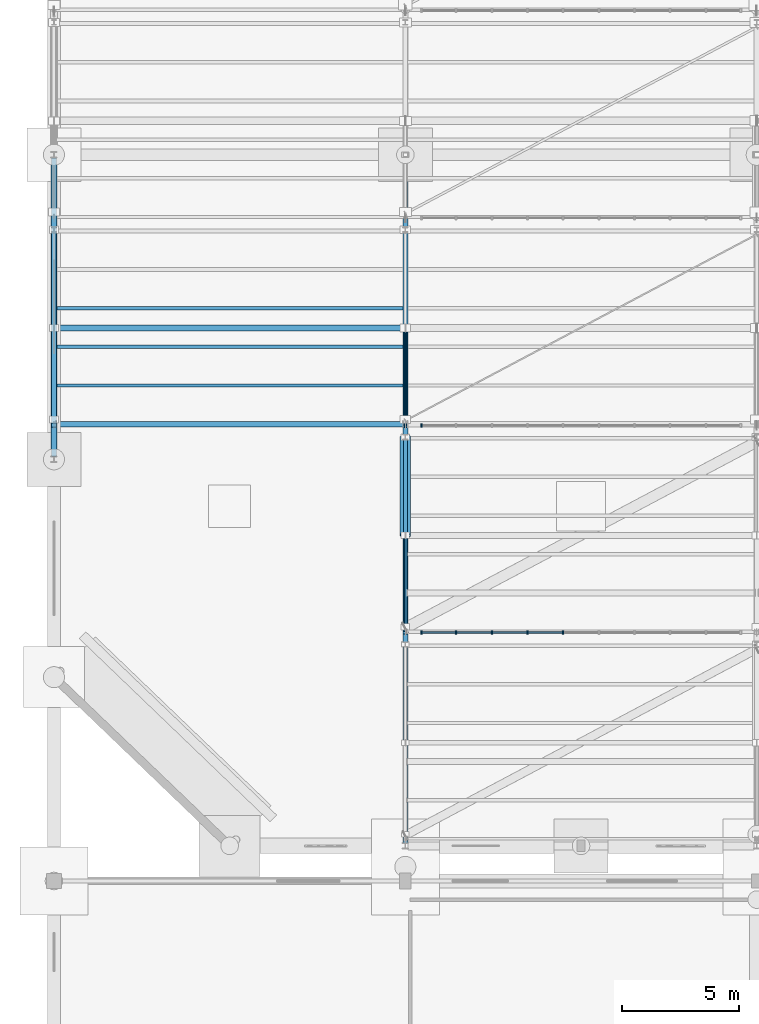
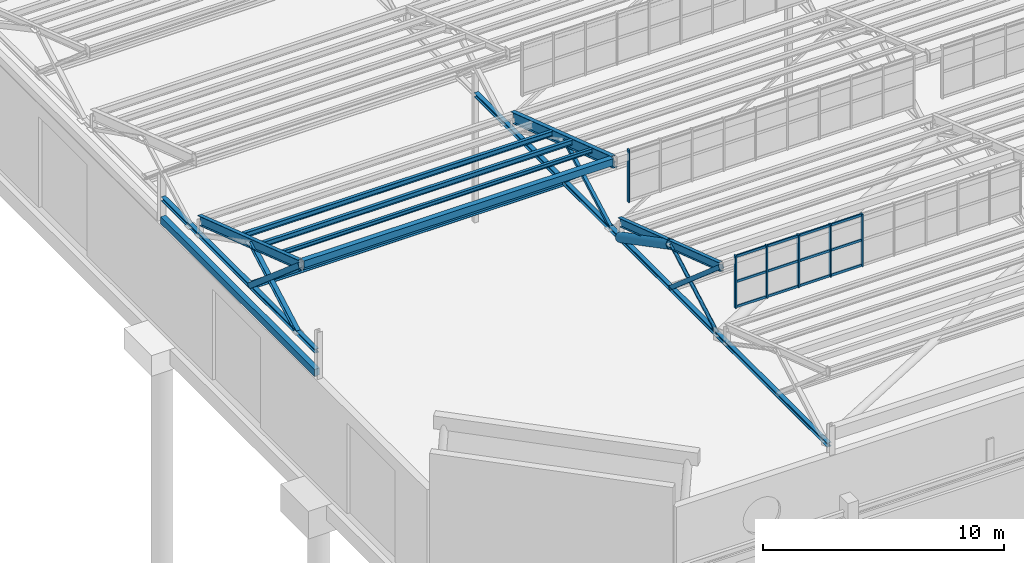
# One storey, part 48 of 285: 26 members, 10 beams, 2 elements without a shape of their own.
"""IFC4 building model written with IfcOpenShell, lengths in metres."""

from ifc_helpers import new_model, si_unit, direction, frame, origin, origin_2d, place, context, subcontext, project, spatial, rectangle, hollow_rectangle, hollow_circle, i_section, extrude, material, material_profile, profile_set, type_object, element, aggregate, save


model = new_model("IFC4")

# Units and contexts
model_context = context("Model", 3, precision=1e-05, world=origin(), true_north=direction((0.0, 1.0)))
body_context = subcontext(model_context, "Body", "Model", "MODEL_VIEW")
ifc_project = project(units=[si_unit("LENGTHUNIT", "METRE"), si_unit("AREAUNIT", "SQUARE_METRE"), si_unit("VOLUMEUNIT", "CUBIC_METRE"), si_unit("PLANEANGLEUNIT", "RADIAN"), si_unit("MASSUNIT", "GRAM", prefix="KILO")], contexts=[model_context])

# Site, building, storey
site_placement = place(None, origin())
site = spatial("IfcSite", under=ifc_project, at=site_placement, CompositionType="ELEMENT")
building_placement = place(site_placement, origin())
building = spatial("IfcBuilding", under=site, at=building_placement, Name="Solanera Park Tramway Depot", CompositionType="ELEMENT")
storey_placement = place(building_placement, origin())
storey = spatial("IfcBuildingStorey", under=building, at=storey_placement, Name="L00", CompositionType="ELEMENT", Elevation=0.0)

# Curtain wall, members
ifc_material_1 = material(Name="Bronze-anodised thermally broken aluminium curtain wall", Category="aluminium")
curtain_wall_type = type_object("IfcCurtainWallType", Name="Sawtooth Clerestory Monitor Curtain Wall", PredefinedType="NOTDEFINED", material=ifc_material_1)
curtain_wall_1_placement = place(storey_placement, origin())
curtain_wall_1 = element("IfcCurtainWall", 1, at=curtain_wall_1_placement, inside=storey, type_object=curtain_wall_type, Name="L00 Sawtooth Clerestory Monitor Curtain Wall #004", PredefinedType="NOTDEFINED")
ifc_material_2 = material(Name="Bronze-anodised structural aluminium 6063-T6", Category="aluminium")
ifc_material_profile_1 = material_profile(ifc_material_2, rectangle(XDim=0.06494140625, YDim=0.14990234375, at=origin_2d()), Name="Curtain Wall Mullion 65x150")
ifc_profile_set_1 = profile_set([ifc_material_profile_1], Name="Bronze-anodised structural aluminium 6063-T6")
member_type_1 = type_object("IfcMemberType", Name="Curtain Wall Mullion 65x150", PredefinedType="MULLION", material=ifc_profile_set_1)
member_1_placement = place(storey_placement, frame((15.6826171875, 64.60009765625, 7.75), z_axis=(0.0, 0.0, 1.0), x_axis=(1.0, 0.0, 0.0)))
member_1 = element("IfcMember", 2, at=member_1_placement, type_object=member_type_1, Name="CW-L00-004 Mullion 1", PredefinedType="MULLION", context=body_context, shape_type="SweptSolid", body=[
    extrude(rectangle(XDim=0.06494140625, YDim=0.14990234375, at=origin_2d()), origin(), (0.0, 0.0, 1.0), 2.6611328125),
])
member_2_placement = place(storey_placement, frame((17.172119140625, 64.60009765625, 7.75), z_axis=(0.0, 0.0, 1.0), x_axis=(1.0, 0.0, 0.0)))
member_2 = element("IfcMember", 3, at=member_2_placement, type_object=member_type_1, Name="CW-L00-004 Mullion 2", PredefinedType="MULLION", context=body_context, shape_type="SweptSolid", body=[
    extrude(rectangle(XDim=0.06494140625, YDim=0.14990234375, at=origin_2d()), origin(), (0.0, 0.0, 1.0), 2.6611328125),
])
member_3_placement = place(storey_placement, frame((18.6943359375, 64.60009765625, 7.75), z_axis=(0.0, 0.0, 1.0), x_axis=(1.0, 0.0, 0.0)))
member_3 = element("IfcMember", 4, at=member_3_placement, type_object=member_type_1, Name="CW-L00-004 Mullion 3", PredefinedType="MULLION", context=body_context, shape_type="SweptSolid", body=[
    extrude(rectangle(XDim=0.06494140625, YDim=0.14990234375, at=origin_2d()), origin(), (0.0, 0.0, 1.0), 2.6611328125),
])
member_4_placement = place(storey_placement, frame((20.216796875, 64.60009765625, 7.75), z_axis=(0.0, 0.0, 1.0), x_axis=(1.0, 0.0, 0.0)))
member_4 = element("IfcMember", 5, at=member_4_placement, type_object=member_type_1, Name="CW-L00-004 Mullion 4", PredefinedType="MULLION", context=body_context, shape_type="SweptSolid", body=[
    extrude(rectangle(XDim=0.06494140625, YDim=0.14990234375, at=origin_2d()), origin(), (0.0, 0.0, 1.0), 2.6611328125),
])
member_5_placement = place(storey_placement, frame((21.739013671875, 64.60009765625, 7.75), z_axis=(0.0, 0.0, 1.0), x_axis=(1.0, 0.0, 0.0)))
member_5 = element("IfcMember", 6, at=member_5_placement, type_object=member_type_1, Name="CW-L00-004 Mullion 5", PredefinedType="MULLION", context=body_context, shape_type="SweptSolid", body=[
    extrude(rectangle(XDim=0.06494140625, YDim=0.14990234375, at=origin_2d()), origin(), (0.0, 0.0, 1.0), 2.6611328125),
])

# Curtain wall, member
curtain_wall_2_placement = place(storey_placement, origin())
curtain_wall_2 = element("IfcCurtainWall", 7, at=curtain_wall_2_placement, inside=storey, type_object=curtain_wall_type, Name="L00 Sawtooth Clerestory Monitor Curtain Wall #012", PredefinedType="NOTDEFINED")
member_6_placement = place(storey_placement, frame((15.6826171875, 73.449951171875, 7.75), z_axis=(0.0, 0.0, 1.0), x_axis=(1.0, 0.0, 0.0)))
member_6 = element("IfcMember", 8, at=member_6_placement, type_object=member_type_1, Name="CW-L00-012 Mullion 1", PredefinedType="MULLION", context=body_context, shape_type="SweptSolid", body=[
    extrude(rectangle(XDim=0.06494140625, YDim=0.14990234375, at=origin_2d()), origin(), (0.0, 0.0, 1.0), 2.6611328125),
])
aggregate(curtain_wall_2, [member_6])

# Member
ifc_material_3 = material(Name="Bronze-anodised structural aluminium 6063-T6", Category="aluminium")
ifc_material_profile_2 = material_profile(ifc_material_3, rectangle(XDim=0.06494140625, YDim=0.1201171875, at=origin_2d()), Name="Curtain Wall Transom 65x120")
ifc_profile_set_2 = profile_set([ifc_material_profile_2], Name="Bronze-anodised structural aluminium 6063-T6")
member_type_2 = type_object("IfcMemberType", Name="Curtain Wall Transom 65x120", PredefinedType="USERDEFINED", material=ifc_profile_set_2)
member_7_placement = place(storey_placement, frame((15.71044921875, 64.60009765625, 7.81005859375), z_axis=(1.0, 0.0, 0.0), x_axis=(0.0, 1.0, 0.0)))
member_7 = element("IfcMember", 9, at=member_7_placement, type_object=member_type_2, Name="CW-L00-004 Transom R1.C1", ObjectType="TRANSOM", PredefinedType="USERDEFINED", context=body_context, shape_type="SweptSolid", body=[
    extrude(rectangle(XDim=0.06494140625, YDim=0.1201171875, at=origin_2d()), origin(), (0.0, 0.0, 1.0), 1.433837890625),
])

member_8_placement = place(storey_placement, frame((17.2001953125, 64.60009765625, 7.81005859375), z_axis=(1.0, 0.0, 0.0), x_axis=(0.0, 1.0, 0.0)))
member_8 = element("IfcMember", 10, at=member_8_placement, type_object=member_type_2, Name="CW-L00-004 Transom R1.C2", ObjectType="TRANSOM", PredefinedType="USERDEFINED", context=body_context, shape_type="SweptSolid", body=[
    extrude(rectangle(XDim=0.06494140625, YDim=0.1201171875, at=origin_2d()), origin(), (0.0, 0.0, 1.0), 1.46630859375),
])

member_9_placement = place(storey_placement, frame((18.722412109375, 64.60009765625, 7.81005859375), z_axis=(1.0, 0.0, 0.0), x_axis=(0.0, 1.0, 0.0)))
member_9 = element("IfcMember", 11, at=member_9_placement, type_object=member_type_2, Name="CW-L00-004 Transom R1.C3", ObjectType="TRANSOM", PredefinedType="USERDEFINED", context=body_context, shape_type="SweptSolid", body=[
    extrude(rectangle(XDim=0.06494140625, YDim=0.1201171875, at=origin_2d()), origin(), (0.0, 0.0, 1.0), 1.46630859375),
])

member_10_placement = place(storey_placement, frame((20.24462890625, 64.60009765625, 7.81005859375), z_axis=(1.0, 0.0, 0.0), x_axis=(0.0, 1.0, 0.0)))
member_10 = element("IfcMember", 12, at=member_10_placement, type_object=member_type_2, Name="CW-L00-004 Transom R1.C4", ObjectType="TRANSOM", PredefinedType="USERDEFINED", context=body_context, shape_type="SweptSolid", body=[
    extrude(rectangle(XDim=0.06494140625, YDim=0.1201171875, at=origin_2d()), origin(), (0.0, 0.0, 1.0), 1.46630859375),
])

member_11_placement = place(storey_placement, frame((15.71044921875, 64.60009765625, 9.08056640625), z_axis=(1.0, 0.0, 0.0), x_axis=(0.0, 1.0, 0.0)))
member_11 = element("IfcMember", 13, at=member_11_placement, type_object=member_type_2, Name="CW-L00-004 Transom R2.C1", ObjectType="TRANSOM", PredefinedType="USERDEFINED", context=body_context, shape_type="SweptSolid", body=[
    extrude(rectangle(XDim=0.06494140625, YDim=0.1201171875, at=origin_2d()), origin(), (0.0, 0.0, 1.0), 1.433837890625),
])

member_12_placement = place(storey_placement, frame((17.2001953125, 64.60009765625, 9.08056640625), z_axis=(1.0, 0.0, 0.0), x_axis=(0.0, 1.0, 0.0)))
member_12 = element("IfcMember", 14, at=member_12_placement, type_object=member_type_2, Name="CW-L00-004 Transom R2.C2", ObjectType="TRANSOM", PredefinedType="USERDEFINED", context=body_context, shape_type="SweptSolid", body=[
    extrude(rectangle(XDim=0.06494140625, YDim=0.1201171875, at=origin_2d()), origin(), (0.0, 0.0, 1.0), 1.46630859375),
])

member_13_placement = place(storey_placement, frame((18.722412109375, 64.60009765625, 9.08056640625), z_axis=(1.0, 0.0, 0.0), x_axis=(0.0, 1.0, 0.0)))
member_13 = element("IfcMember", 15, at=member_13_placement, type_object=member_type_2, Name="CW-L00-004 Transom R2.C3", ObjectType="TRANSOM", PredefinedType="USERDEFINED", context=body_context, shape_type="SweptSolid", body=[
    extrude(rectangle(XDim=0.06494140625, YDim=0.1201171875, at=origin_2d()), origin(), (0.0, 0.0, 1.0), 1.46630859375),
])

member_14_placement = place(storey_placement, frame((20.24462890625, 64.60009765625, 9.08056640625), z_axis=(1.0, 0.0, 0.0), x_axis=(0.0, 1.0, 0.0)))
member_14 = element("IfcMember", 16, at=member_14_placement, type_object=member_type_2, Name="CW-L00-004 Transom R2.C4", ObjectType="TRANSOM", PredefinedType="USERDEFINED", context=body_context, shape_type="SweptSolid", body=[
    extrude(rectangle(XDim=0.06494140625, YDim=0.1201171875, at=origin_2d()), origin(), (0.0, 0.0, 1.0), 1.46630859375),
])

member_15_placement = place(storey_placement, frame((15.71044921875, 64.60009765625, 10.351318359375), z_axis=(1.0, 0.0, 0.0), x_axis=(0.0, 1.0, 0.0)))
member_15 = element("IfcMember", 17, at=member_15_placement, type_object=member_type_2, Name="CW-L00-004 Transom R3.C1", ObjectType="TRANSOM", PredefinedType="USERDEFINED", context=body_context, shape_type="SweptSolid", body=[
    extrude(rectangle(XDim=0.06494140625, YDim=0.1201171875, at=origin_2d()), origin(), (0.0, 0.0, 1.0), 1.433837890625),
])

member_16_placement = place(storey_placement, frame((17.2001953125, 64.60009765625, 10.351318359375), z_axis=(1.0, 0.0, 0.0), x_axis=(0.0, 1.0, 0.0)))
member_16 = element("IfcMember", 18, at=member_16_placement, type_object=member_type_2, Name="CW-L00-004 Transom R3.C2", ObjectType="TRANSOM", PredefinedType="USERDEFINED", context=body_context, shape_type="SweptSolid", body=[
    extrude(rectangle(XDim=0.06494140625, YDim=0.1201171875, at=origin_2d()), origin(), (0.0, 0.0, 1.0), 1.46630859375),
])

member_17_placement = place(storey_placement, frame((18.722412109375, 64.60009765625, 10.351318359375), z_axis=(1.0, 0.0, 0.0), x_axis=(0.0, 1.0, 0.0)))
member_17 = element("IfcMember", 19, at=member_17_placement, type_object=member_type_2, Name="CW-L00-004 Transom R3.C3", ObjectType="TRANSOM", PredefinedType="USERDEFINED", context=body_context, shape_type="SweptSolid", body=[
    extrude(rectangle(XDim=0.06494140625, YDim=0.1201171875, at=origin_2d()), origin(), (0.0, 0.0, 1.0), 1.46630859375),
])

member_18_placement = place(storey_placement, frame((20.24462890625, 64.60009765625, 10.351318359375), z_axis=(1.0, 0.0, 0.0), x_axis=(0.0, 1.0, 0.0)))
member_18 = element("IfcMember", 20, at=member_18_placement, type_object=member_type_2, Name="CW-L00-004 Transom R3.C4", ObjectType="TRANSOM", PredefinedType="USERDEFINED", context=body_context, shape_type="SweptSolid", body=[
    extrude(rectangle(XDim=0.06494140625, YDim=0.1201171875, at=origin_2d()), origin(), (0.0, 0.0, 1.0), 1.46630859375),
])

aggregate(curtain_wall_1, [member_1, member_2, member_3, member_4, member_5, member_7, member_8, member_9, member_10, member_11, member_12, member_13, member_14, member_15, member_16, member_17, member_18])

# Beam
ifc_material_4 = material(Name="Concrete N40 (C40/50)", Category="concrete")
ifc_material_profile_3 = material_profile(ifc_material_4, rectangle(XDim=0.25, YDim=0.35009765625, at=origin_2d()), Name="LNT 250x350")
ifc_profile_set_3 = profile_set([ifc_material_profile_3], Name="Concrete N40 (C40/50)")
beam_type_1 = type_object("IfcBeamType", Name="Opening Lintel Beam LNT 250x350", PredefinedType="LINTEL", material=ifc_profile_set_3)
beam_1_placement = place(storey_placement, frame((0.0, 72.1201171875, 5.425048828125), z_axis=(0.0, 1.0, 0.0), x_axis=(-1.0, 0.0, 0.0)))
element("IfcBeam", 21, at=beam_1_placement, inside=storey, type_object=beam_type_1, Name="L00 Portal Transom Lintel LNT 250x350 #0294", PredefinedType="LINTEL", context=body_context, shape_type="SweptSolid", body=[
    extrude(rectangle(XDim=0.25, YDim=0.35009765625, at=origin_2d()), origin(), (0.0, 0.0, 1.0), 12.759765625),
])

# Members
ifc_material_5 = material(Name="Steel AS/NZS 1163 Grade C350L0", Category="steel")
ifc_material_profile_4 = material_profile(ifc_material_5, hollow_rectangle(XDim=0.14990234375, YDim=0.14990234375, WallThickness=0.006103515625, at=origin_2d()), Name="150x150x6.0 SHS")
ifc_profile_set_4 = profile_set([ifc_material_profile_4], Name="Steel AS/NZS 1163 Grade C350L0")
member_type_3 = type_object("IfcMemberType", Name="Roof Gantry Compression Strut 150x150x6.0 SHS", PredefinedType="STRUT", material=ifc_profile_set_4)
member_19_placement = place(storey_placement, frame((15.0, 73.699951171875, 6.5), z_axis=(0.0, 0.877679219611, 0.479248565425), x_axis=(-1.0, 0.0, 0.0)))
element("IfcMember", 22, at=member_19_placement, inside=storey, type_object=member_type_3, Name="Sawtooth ROOF TRUSS Strut 150x150x6.0 SHS #0090", PredefinedType="STRUT", context=body_context, shape_type="SweptSolid", body=[
    extrude(hollow_rectangle(XDim=0.14990234375, YDim=0.14990234375, WallThickness=0.006103515625, at=origin_2d()), origin(), (0.0, 0.0, 1.0), 4.443603515625),
])
ifc_material_6 = material(Name="Steel AS/NZS 1163 Grade C350L0", Category="steel")
ifc_material_profile_5 = material_profile(ifc_material_6, hollow_circle(Radius=0.084228515625, WallThickness=0.00634765625, at=origin_2d()), Name="168.3x6.4 CHS")
ifc_profile_set_5 = profile_set([ifc_material_profile_5], Name="Steel AS/NZS 1163 Grade C350L0")
member_type_4 = type_object("IfcMemberType", Name="Roof Gantry Compression Strut 168.3x6.4 CHS", PredefinedType="STRUT", material=ifc_profile_set_5)
member_20_placement = place(storey_placement, frame((15.0, 64.85009765625, 6.5), z_axis=(0.0, 0.871630906744, 0.490162791742), x_axis=(-1.0, 0.0, 0.0)))
element("IfcMember", 23, at=member_20_placement, inside=storey, type_object=member_type_4, Name="Sawtooth ROOF TRUSS Strut 168.3x6.4 CHS #0048", PredefinedType="STRUT", context=body_context, shape_type="SweptSolid", body=[
    extrude(hollow_circle(Radius=0.084228515625, WallThickness=0.00634765625, at=origin_2d()), origin(), (0.0, 0.0, 1.0), 4.474365234375),
])
ifc_material_7 = material(Name="Steel AS/NZS 3679.1 Grade 350", Category="steel")
ifc_material_profile_6 = material_profile(ifc_material_7, i_section(OverallWidth=0.205078125, OverallDepth=0.209716796875, WebThickness=0.00927734375, FlangeThickness=0.01416015625, at=origin_2d()), Name="200UC59.5")
ifc_profile_set_6 = profile_set([ifc_material_profile_6], Name="Steel AS/NZS 3679.1 Grade 350")
member_type_5 = type_object("IfcMemberType", Name="Roof Gantry Compression Strut 200UC59.5", PredefinedType="STRUT", material=ifc_profile_set_6)
member_21_placement = place(storey_placement, frame((0.0, 73.699951171875, 6.5), z_axis=(0.0, 0.874087581692, 0.485768359954), x_axis=(-1.0, 0.0, 0.0)))
element("IfcMember", 24, at=member_21_placement, inside=storey, type_object=member_type_5, Name="Sawtooth ROOF TRUSS Strut 200UC59.5 #0087", PredefinedType="STRUT", context=body_context, shape_type="SweptSolid", body=[
    extrude(i_section(OverallWidth=0.205078125, OverallDepth=0.209716796875, WebThickness=0.00927734375, FlangeThickness=0.01416015625, at=origin_2d()), origin(), (0.0, 0.0, 1.0), 4.4619140625),
])
ifc_material_8 = material(Name="Steel AS/NZS 3679.1 Grade 350", Category="steel")
ifc_material_profile_7 = material_profile(ifc_material_8, i_section(OverallWidth=0.25390625, OverallDepth=0.25390625, WebThickness=0.008544921875, FlangeThickness=0.01416015625, at=origin_2d()), Name="250UC72.9")
ifc_profile_set_7 = profile_set([ifc_material_profile_7], Name="Steel AS/NZS 3679.1 Grade 350")
member_type_6 = type_object("IfcMemberType", Name="Secondary Truss Chord 250UC72.9", PredefinedType="CHORD", material=ifc_profile_set_7)
member_22_placement = place(storey_placement, frame((0.087890625, 77.60009765625, 6.5), z_axis=(1.0, 0.0, 0.0), x_axis=(0.0, 1.0, 0.0)))
element("IfcMember", 25, at=member_22_placement, inside=storey, type_object=member_type_6, Name="Sawtooth Longitudinal Tie Chord 250UC72.9 #0118", PredefinedType="CHORD", context=body_context, shape_type="SweptSolid", body=[
    extrude(i_section(OverallWidth=0.25390625, OverallDepth=0.25390625, WebThickness=0.008544921875, FlangeThickness=0.01416015625, at=origin_2d()), origin(), (0.0, 0.0, 1.0), 14.82421875),
])

# Beams
ifc_material_9 = material(Name="Steel AS/NZS 3679.1 Grade 350", Category="steel")
ifc_material_profile_8 = material_profile(ifc_material_9, i_section(OverallWidth=0.203369140625, OverallDepth=0.203369140625, WebThickness=0.00732421875, FlangeThickness=0.010986328125, at=origin_2d()), Name="200UC46.2")
ifc_profile_set_8 = profile_set([ifc_material_profile_8], Name="Steel AS/NZS 3679.1 Grade 350")
beam_type_2 = type_object("IfcBeamType", Name="Steel Beam 200UC46.2", PredefinedType="BEAM", material=ifc_profile_set_8)
beam_2_placement = place(storey_placement, frame((0.0, 72.126953125, 6.5), z_axis=(0.0, 1.0, 0.0), x_axis=(-1.0, 0.0, 0.0)))
element("IfcBeam", 26, at=beam_2_placement, inside=storey, type_object=beam_type_2, Name="Sawtooth ROOF TRUSS Bottom Chord 200UC46.2 #0366", PredefinedType="BEAM", context=body_context, shape_type="SweptSolid", body=[
    extrude(i_section(OverallWidth=0.203369140625, OverallDepth=0.203369140625, WebThickness=0.00732421875, FlangeThickness=0.010986328125, at=origin_2d()), origin(), (0.0, 0.0, 1.0), 12.745361328125),
])
ifc_material_10 = material(Name="Steel AS/NZS 3679.1 Grade 350", Category="steel")
ifc_material_profile_9 = material_profile(ifc_material_10, i_section(OverallWidth=0.205078125, OverallDepth=0.209716796875, WebThickness=0.00927734375, FlangeThickness=0.01416015625, at=origin_2d()), Name="200UC59.5")
ifc_profile_set_9 = profile_set([ifc_material_profile_9], Name="Steel AS/NZS 3679.1 Grade 350")
beam_type_3 = type_object("IfcBeamType", Name="Steel Beam 200UC59.5", PredefinedType="BEAM", material=ifc_profile_set_9)
beam_3_placement = place(storey_placement, frame((15.0, 55.6279296875, 6.5), z_axis=(0.0, 1.0, 0.0), x_axis=(-1.0, 0.0, 0.0)))
element("IfcBeam", 27, at=beam_3_placement, inside=storey, type_object=beam_type_3, Name="Sawtooth ROOF TRUSS Bottom Chord 200UC59.5 #0370", PredefinedType="BEAM", context=body_context, shape_type="SweptSolid", body=[
    extrude(i_section(OverallWidth=0.205078125, OverallDepth=0.209716796875, WebThickness=0.00927734375, FlangeThickness=0.01416015625, at=origin_2d()), origin(), (0.0, 0.0, 1.0), 29.27197265625),
])
ifc_material_11 = material(Name="Steel AS/NZS 3679.1 Grade 350", Category="steel")
ifc_material_profile_10 = material_profile(ifc_material_11, i_section(OverallWidth=0.177734375, OverallDepth=0.406494140625, WebThickness=0.0078125, FlangeThickness=0.0126953125, at=origin_2d()), Name="410UB59.7")
ifc_profile_set_10 = profile_set([ifc_material_profile_10], Name="Steel AS/NZS 3679.1 Grade 350")
beam_type_4 = type_object("IfcBeamType", Name="Steel Beam 410UB59.7", PredefinedType="BEAM", material=ifc_profile_set_10)
beam_4_placement = place(storey_placement, frame((15.0, 64.60009765625, 10.08154296875), z_axis=(0.0, 0.948319437663, -0.317317261034), x_axis=(-1.0, 0.0, 0.0)))
element("IfcBeam", 28, at=beam_4_placement, inside=storey, type_object=beam_type_4, Name="Sawtooth ROOF TRUSS Top Rafter 410UB59.7 B02-T1", PredefinedType="BEAM", context=body_context, shape_type="SweptSolid", body=[
    extrude(i_section(OverallWidth=0.177734375, OverallDepth=0.406494140625, WebThickness=0.0078125, FlangeThickness=0.0126953125, at=origin_2d()), origin(), (0.0, 0.0, 1.0), 8.804931640625),
])
ifc_material_12 = material(Name="Steel AS/NZS 3679.1 Grade 350", Category="steel")
ifc_material_profile_11 = material_profile(ifc_material_12, i_section(OverallWidth=0.1904296875, OverallDepth=0.45751953125, WebThickness=0.009033203125, FlangeThickness=0.014404296875, at=origin_2d()), Name="460UB74.6")
ifc_profile_set_11 = profile_set([ifc_material_profile_11], Name="Steel AS/NZS 3679.1 Grade 350")
beam_type_5 = type_object("IfcBeamType", Name="Steel Beam 460UB74.6", PredefinedType="BEAM", material=ifc_profile_set_11)
beam_5_placement = place(storey_placement, frame((0.0, 73.449951171875, 10.05615234375), z_axis=(0.0, 0.948322229475, -0.317308917435), x_axis=(-1.0, 0.0, 0.0)))
element("IfcBeam", 29, at=beam_5_placement, inside=storey, type_object=beam_type_5, Name="Sawtooth ROOF TRUSS Top Rafter 460UB74.6 B03-T1", PredefinedType="BEAM", context=body_context, shape_type="SweptSolid", body=[
    extrude(i_section(OverallWidth=0.1904296875, OverallDepth=0.45751953125, WebThickness=0.009033203125, FlangeThickness=0.014404296875, at=origin_2d()), origin(), (0.0, 0.0, 1.0), 8.80517578125),
])
ifc_material_13 = material(Name="Steel AS/NZS 3679.1 Grade 350", Category="steel")
ifc_material_profile_12 = material_profile(ifc_material_13, i_section(OverallWidth=0.209228515625, OverallDepth=0.532958984375, WebThickness=0.01025390625, FlangeThickness=0.015625, at=origin_2d()), Name="530UB92.4")
ifc_profile_set_12 = profile_set([ifc_material_profile_12], Name="Steel AS/NZS 3679.1 Grade 350")
beam_type_6 = type_object("IfcBeamType", Name="Steel Beam 530UB92.4", PredefinedType="BEAM", material=ifc_profile_set_12)
beam_6_placement = place(storey_placement, frame((15.0, 73.449951171875, 10.018310546875), z_axis=(0.0, 0.948322229475, -0.317308917435), x_axis=(-1.0, 0.0, 0.0)))
element("IfcBeam", 30, at=beam_6_placement, inside=storey, type_object=beam_type_6, Name="Sawtooth ROOF TRUSS Top Rafter 530UB92.4 B03-T2", PredefinedType="BEAM", context=body_context, shape_type="SweptSolid", body=[
    extrude(i_section(OverallWidth=0.209228515625, OverallDepth=0.532958984375, WebThickness=0.01025390625, FlangeThickness=0.015625, at=origin_2d()), origin(), (0.0, 0.0, 1.0), 8.80517578125),
])
ifc_material_14 = material(Name="Steel AS/NZS 3679.1 Grade 350", Category="steel")
ifc_material_profile_13 = material_profile(ifc_material_14, i_section(OverallWidth=0.13330078125, OverallDepth=0.203125, WebThickness=0.005859375, FlangeThickness=0.0078125, at=origin_2d()), Name="200UB25.4")
ifc_profile_set_13 = profile_set([ifc_material_profile_13], Name="Steel AS/NZS 3679.1 Grade 350")
beam_type_7 = type_object("IfcBeamType", Name="Steel Joist Purlin 200UB25.4", PredefinedType="JOIST", material=ifc_profile_set_13)
beam_7_placement = place(storey_placement, frame((0.087158203125, 75.14990234375, 9.614013671875), z_axis=(1.0, 0.0, 0.0), x_axis=(0.0, 1.0, 0.0)))
element("IfcBeam", 31, at=beam_7_placement, inside=storey, type_object=beam_type_7, Name="Sawtooth Roof Purlin 200UB25.4 B03.2", PredefinedType="JOIST", context=body_context, shape_type="SweptSolid", body=[
    extrude(i_section(OverallWidth=0.13330078125, OverallDepth=0.203125, WebThickness=0.005859375, FlangeThickness=0.0078125, at=origin_2d()), origin(), (0.0, 0.0, 1.0), 14.816162109375),
])
ifc_material_15 = material(Name="Steel AS/NZS 3679.1 Grade 350", Category="steel")
ifc_material_profile_14 = material_profile(ifc_material_15, i_section(OverallWidth=0.14599609375, OverallDepth=0.251708984375, WebThickness=0.006103515625, FlangeThickness=0.008544921875, at=origin_2d()), Name="250UB31.4")
ifc_profile_set_14 = profile_set([ifc_material_profile_14], Name="Steel AS/NZS 3679.1 Grade 350")
beam_type_8 = type_object("IfcBeamType", Name="Steel Joist Purlin 250UB31.4", PredefinedType="JOIST", material=ifc_profile_set_14)
beam_8_placement = place(storey_placement, frame((0.087158203125, 76.800048828125, 9.03564453125), z_axis=(1.0, 0.0, 0.0), x_axis=(0.0, 1.0, 0.0)))
element("IfcBeam", 32, at=beam_8_placement, inside=storey, type_object=beam_type_8, Name="Sawtooth Roof Purlin 250UB31.4 B03.3", PredefinedType="JOIST", context=body_context, shape_type="SweptSolid", body=[
    extrude(i_section(OverallWidth=0.14599609375, OverallDepth=0.251708984375, WebThickness=0.006103515625, FlangeThickness=0.008544921875, at=origin_2d()), origin(), (0.0, 0.0, 1.0), 14.816162109375),
])
ifc_material_16 = material(Name="Steel AS/NZS 3679.1 Grade 350", Category="steel")
ifc_material_profile_15 = material_profile(ifc_material_16, i_section(OverallWidth=0.146484375, OverallDepth=0.256103515625, WebThickness=0.00634765625, FlangeThickness=0.010986328125, at=origin_2d()), Name="250UB37.3")
ifc_profile_set_15 = profile_set([ifc_material_profile_15], Name="Steel AS/NZS 3679.1 Grade 350")
beam_type_9 = type_object("IfcBeamType", Name="Steel Joist Purlin 250UB37.3", PredefinedType="JOIST", material=ifc_profile_set_15)
beam_9_placement = place(storey_placement, frame((0.087158203125, 78.449951171875, 8.481201171875), z_axis=(1.0, 0.0, 0.0), x_axis=(0.0, 1.0, 0.0)))
element("IfcBeam", 33, at=beam_9_placement, inside=storey, type_object=beam_type_9, Name="Sawtooth Roof Purlin 250UB37.3 B03.4", PredefinedType="JOIST", context=body_context, shape_type="SweptSolid", body=[
    extrude(i_section(OverallWidth=0.146484375, OverallDepth=0.256103515625, WebThickness=0.00634765625, FlangeThickness=0.010986328125, at=origin_2d()), origin(), (0.0, 0.0, 1.0), 14.816162109375),
])
ifc_material_17 = material(Name="Steel AS/NZS 1163 Grade C350L0", Category="steel")
ifc_material_profile_16 = material_profile(ifc_material_17, hollow_rectangle(XDim=0.25, YDim=0.35009765625, WallThickness=0.010009765625, at=origin_2d()), Name="350x250x10.0 RHS")
ifc_profile_set_16 = profile_set([ifc_material_profile_16], Name="Steel AS/NZS 1163 Grade C350L0")
beam_type_10 = type_object("IfcBeamType", Name="Steel Joist Purlin 350x250x10.0 RHS", PredefinedType="JOIST", material=ifc_profile_set_16)
beam_10_placement = place(storey_placement, frame((0.087158203125, 73.5, 10.0732421875), z_axis=(1.0, 0.0, 0.0), x_axis=(0.0, 1.0, 0.0)))
element("IfcBeam", 34, at=beam_10_placement, inside=storey, type_object=beam_type_10, Name="Sawtooth Roof Purlin 350x250x10.0 RHS B03.1", PredefinedType="JOIST", context=body_context, shape_type="SweptSolid", body=[
    extrude(hollow_rectangle(XDim=0.25, YDim=0.35009765625, WallThickness=0.010009765625, at=origin_2d()), origin(), (0.0, 0.0, 1.0), 14.816162109375),
])

# Members
ifc_material_18 = material(Name="Steel AS/NZS 1163 Grade C350L0", Category="steel")
ifc_material_profile_17 = material_profile(ifc_material_18, hollow_circle(Radius=0.05712890625, WallThickness=0.0048828125, at=origin_2d()), Name="114.3x4.8 CHS")
ifc_profile_set_17 = profile_set([ifc_material_profile_17], Name="Steel AS/NZS 1163 Grade C350L0")
member_type_7 = type_object("IfcMemberType", Name="Truss and Frame Brace 114.3x4.8 CHS", PredefinedType="BRACE", material=ifc_profile_set_17)
member_23_placement = place(storey_placement, frame((15.0, 77.60009765625, 6.5), z_axis=(0.0, -0.762783427217, 0.646654036686), x_axis=(1.0, 0.0, 0.0)))
element("IfcMember", 35, at=member_23_placement, inside=storey, type_object=member_type_7, Name="Sawtooth ROOF TRUSS Web Brace 114.3x4.8 CHS #0088", PredefinedType="BRACE", context=body_context, shape_type="SweptSolid", body=[
    extrude(hollow_circle(Radius=0.05712890625, WallThickness=0.0048828125, at=origin_2d()), origin(), (0.0, 0.0, 1.0), 5.440673828125),
])
ifc_material_19 = material(Name="Steel AS/NZS 1163 Grade C350L0", Category="steel")
ifc_material_profile_18 = material_profile(ifc_material_19, hollow_rectangle(XDim=0.199951171875, YDim=0.199951171875, WallThickness=0.008056640625, at=origin_2d()), Name="200x200x8.0 SHS")
ifc_profile_set_18 = profile_set([ifc_material_profile_18], Name="Steel AS/NZS 1163 Grade C350L0")
member_type_8 = type_object("IfcMemberType", Name="Truss and Frame Brace 200x200x8.0 SHS", PredefinedType="BRACE", material=ifc_profile_set_18)
member_24_placement = place(storey_placement, frame((15.0, 68.75, 6.5), z_axis=(0.0, -0.757045281618, 0.653362412127), x_axis=(1.0, 0.0, 0.0)))
element("IfcMember", 36, at=member_24_placement, inside=storey, type_object=member_type_8, Name="Sawtooth ROOF TRUSS Web Brace 200x200x8.0 SHS #0046", PredefinedType="BRACE", context=body_context, shape_type="SweptSolid", body=[
    extrude(hollow_rectangle(XDim=0.199951171875, YDim=0.199951171875, WallThickness=0.008056640625, at=origin_2d()), origin(), (0.0, 0.0, 1.0), 5.481689453125),
])
ifc_material_20 = material(Name="Steel AS/NZS 1163 Grade C350L0", Category="steel")
ifc_material_profile_19 = material_profile(ifc_material_20, hollow_rectangle(XDim=0.25, YDim=0.25, WallThickness=0.010009765625, at=origin_2d()), Name="250x250x10.0 SHS")
ifc_profile_set_19 = profile_set([ifc_material_profile_19], Name="Steel AS/NZS 1163 Grade C350L0")
member_type_9 = type_object("IfcMemberType", Name="Truss and Frame Brace 250x250x10.0 SHS", PredefinedType="BRACE", material=ifc_profile_set_19)
member_25_placement = place(storey_placement, frame((0.0, 77.60009765625, 6.5), z_axis=(0.0, -0.759357496503, 0.650673645159), x_axis=(1.0, 0.0, 0.0)))
element("IfcMember", 37, at=member_25_placement, inside=storey, type_object=member_type_9, Name="Sawtooth ROOF TRUSS Web Brace 250x250x10.0 SHS #0085", PredefinedType="BRACE", context=body_context, shape_type="SweptSolid", body=[
    extrude(hollow_rectangle(XDim=0.25, YDim=0.25, WallThickness=0.010009765625, at=origin_2d()), origin(), (0.0, 0.0, 1.0), 5.46533203125),
])
ifc_material_21 = material(Name="Steel AS/NZS 1163 Grade C350L0", Category="steel")
ifc_material_profile_20 = material_profile(ifc_material_21, hollow_circle(Radius=0.228515625, WallThickness=0.0126953125, at=origin_2d()), Name="457.0x12.7 CHS")
ifc_profile_set_20 = profile_set([ifc_material_profile_20], Name="Steel AS/NZS 1163 Grade C350L0")
member_type_10 = type_object("IfcMemberType", Name="Truss and Frame Brace 457.0x12.7 CHS", PredefinedType="BRACE", material=ifc_profile_set_20)
member_26_placement = place(storey_placement, frame((15.0, 72.949951171875, 6.5), z_axis=(0.0, -0.886425847493, 0.462870626521), x_axis=(1.0, 0.0, 0.0)))
element("IfcMember", 38, at=member_26_placement, inside=storey, type_object=member_type_10, Name="Sawtooth ROOF TRUSS Diagonal 457.0x12.7 CHS #0047", PredefinedType="BRACE", context=body_context, shape_type="SweptSolid", body=[
    extrude(hollow_circle(Radius=0.228515625, WallThickness=0.0126953125, at=origin_2d()), origin(), (0.0, 0.0, 1.0), 4.738037109375),
])

save(model, "model.ifc")
